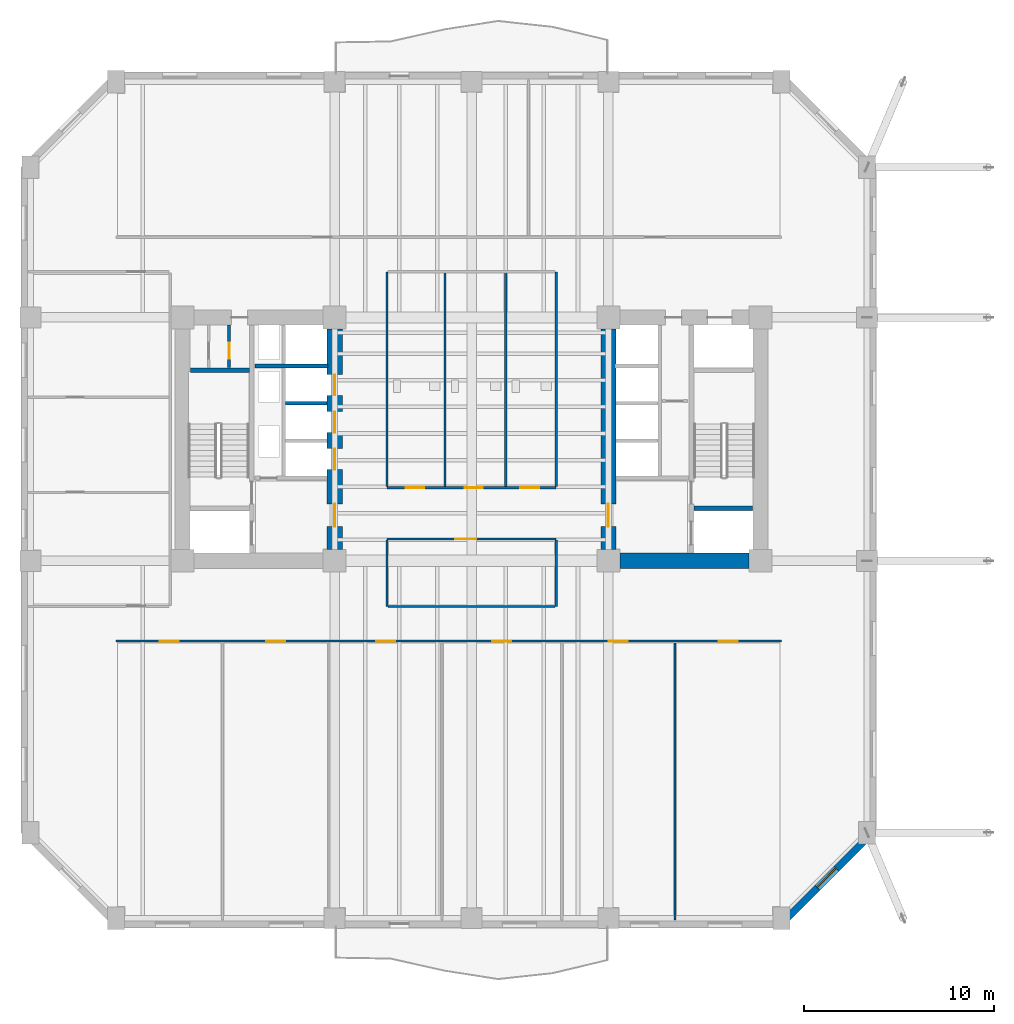
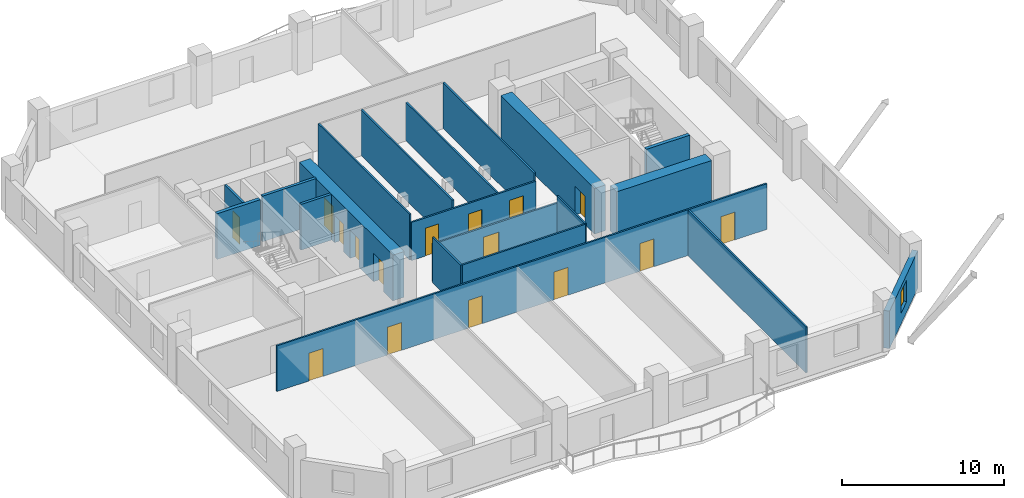
# One storey, part 6 of 13: 20 walls, 16 doors, 1 window, 17 openings.
"""IFC4 building model written with IfcOpenShell, lengths in metres."""

import ifcopenshell
import ifcopenshell.guid

model = None  # the IFC model being written
_history = None  # IfcOwnerHistory: only IFC2X3 demands one
_inside = {}  # id of a spatial element -> (the spatial element, [elements in it])
_under = {}  # id of a project, library or spatial element -> (it, [spatial elements below it])
_declared = {}  # id of a project -> (the project, [libraries it declares])
_typed = {}  # id of a type object -> (the type object, [elements of that type])
_made_of = {}  # id of a material, layer set ... -> (it, [elements and type objects made of it])


def new_model(schema):
    """Start an empty IFC model of exactly this schema.

    Asked for "IFC4X3", IfcOpenShell would pick the latest addendum, in which some entities
    have other attributes; the version numbers below select the first issue.
    IFC2X3 requires an IfcOwnerHistory on every rooted entity: one is made here for all.
    """
    global model, _history
    if schema == "IFC4X3":
        model = ifcopenshell.file(schema_version=(4, 3, 0, 0))
    else:
        model = ifcopenshell.file(schema=schema)
    _inside.clear()
    _under.clear()
    _declared.clear()
    _typed.clear()
    _made_of.clear()
    _history = None
    if model.schema == "IFC2X3":
        org = make("IfcOrganization", Name="unknown")
        user = make(
            "IfcPersonAndOrganization",
            ThePerson=make("IfcPerson", FamilyName="unknown"),
            TheOrganization=org,
        )
        app = make(
            "IfcApplication",
            ApplicationDeveloper=org,
            Version="unknown",
            ApplicationFullName="unknown",
            ApplicationIdentifier="unknown",
        )
        _history = make(
            "IfcOwnerHistory",
            OwningUser=user,
            OwningApplication=app,
            ChangeAction="ADDED",
            CreationDate=0,
        )
    return model


def make(cls, **values):
    """One entity of the class cls with the attributes given. An attribute that is None is left unset."""
    return model.create_entity(
        cls, **{name: value for name, value in values.items() if value is not None}
    )


def rooted(cls, **values):
    """An entity with a GlobalId (a new one), such as an element, a storey or a relation."""
    return make(cls, GlobalId=ifcopenshell.guid.new(), OwnerHistory=_history, **values)


def si_unit(unit_type, name, prefix=None):
    """IfcSIUnit, for example si_unit("LENGTHUNIT", "METRE", prefix="MILLI")."""
    return make("IfcSIUnit", UnitType=unit_type, Prefix=prefix, Name=name)


def assignment(units):
    """IfcUnitAssignment: the units of a project."""
    return None if units is None else make("IfcUnitAssignment", Units=units)


def point(xyz):
    """IfcCartesianPoint."""
    return None if xyz is None else make("IfcCartesianPoint", Coordinates=xyz)


def direction(xyz):
    """IfcDirection."""
    return None if xyz is None else make("IfcDirection", DirectionRatios=xyz)


def frame(location, z_axis=None, x_axis=None):
    """IfcAxis2Placement3D, a coordinate frame: its origin and axes. An axis left out is left unset."""
    return make(
        "IfcAxis2Placement3D",
        Location=point(location),
        Axis=direction(z_axis),
        RefDirection=direction(x_axis),
    )


def frame_2d(location, x_axis=None):
    """IfcAxis2Placement2D, a coordinate frame in the plane: its origin and x axis."""
    return make(
        "IfcAxis2Placement2D", Location=point(location), RefDirection=direction(x_axis)
    )


def origin():
    """The frame at (0, 0, 0) with its axes left unset."""
    return frame((0.0, 0.0, 0.0))


def place(relative_to, where):
    """IfcLocalPlacement: puts the frame where relative to a parent placement (None: the world)."""
    return make(
        "IfcLocalPlacement", PlacementRelTo=relative_to, RelativePlacement=where
    )


def context(
    kind, dimensions, precision=None, world=None, true_north=None, identifier=None
):
    """IfcGeometricRepresentationContext, for example the 3D "Model" context."""
    return make(
        "IfcGeometricRepresentationContext",
        ContextIdentifier=identifier,
        ContextType=kind,
        CoordinateSpaceDimension=dimensions,
        Precision=precision,
        WorldCoordinateSystem=world,
        TrueNorth=true_north,
    )


def subcontext(parent, identifier, kind, view, scale=None):
    """IfcGeometricRepresentationSubContext, for example "Body" below "Model"."""
    return make(
        "IfcGeometricRepresentationSubContext",
        ContextIdentifier=identifier,
        ContextType=kind,
        ParentContext=parent,
        TargetScale=scale,
        TargetView=view,
    )


def project(units=None, contexts=None):
    """IfcProject with its units and contexts."""
    return rooted(
        "IfcProject",
        Name="project",
        RepresentationContexts=contexts,
        UnitsInContext=assignment(units),
    )


def spatial(cls, under=None, at=None, **own):
    """A site, building, storey or space (cls), placed at a placement, below another one or the project."""
    s = rooted(cls, ObjectPlacement=at, **own)
    if under is not None:
        _under.setdefault(under.id(), (under, []))[1].append(s)
    return s


def profile(cls, at=None, kind="AREA", **sizes):
    """A parametric profile (cls). Its sizes go by their IFC names, for example OverallWidth=200.0."""
    return make(cls, ProfileType=kind, Position=at, **sizes)


def rectangle(**sizes):
    """IfcRectangleProfileDef."""
    return profile("IfcRectangleProfileDef", **sizes)


def extrude(swept, where, along, depth):
    """IfcExtrudedAreaSolid: the profile swept, set in the frame where, extruded along a direction by depth."""
    return make(
        "IfcExtrudedAreaSolid",
        SweptArea=swept,
        Position=where,
        ExtrudedDirection=direction(along),
        Depth=depth,
    )


def shape(context_of_items, identifier, shape_type, items):
    """IfcShapeRepresentation: the items that make up one representation, for example the "Body"."""
    return make(
        "IfcShapeRepresentation",
        ContextOfItems=context_of_items,
        RepresentationIdentifier=identifier,
        RepresentationType=shape_type,
        Items=items,
    )


def material(Name=None, Category=None):
    """IfcMaterial."""
    return make("IfcMaterial", Name=Name, Category=Category)


def layer(
    of_material, thickness, ventilated=None, Name=None, Category=None, Priority=None
):
    """IfcMaterialLayer: one layer of a wall or slab, of a material (None: an air gap)."""
    return make(
        "IfcMaterialLayer",
        Material=of_material,
        LayerThickness=thickness,
        IsVentilated=ventilated,
        Name=Name,
        Category=Category,
        Priority=Priority,
    )


def layer_set(layers, Name=None):
    """IfcMaterialLayerSet."""
    return make("IfcMaterialLayerSet", MaterialLayers=layers, LayerSetName=Name)


def made_of(thing, what):
    """Note that an element or type object is made of a material, layer set ...; save() writes the relation."""
    if what is not None:
        _made_of.setdefault(what.id(), (what, []))[1].append(thing)
    return thing


def type_object(cls, material=None, **own):
    """A type object (cls), such as IfcWallType, which elements share."""
    return made_of(rooted(cls, **own), material)


def element(
    cls,
    number,
    at=None,
    inside=None,
    cuts=None,
    type_object=None,
    material=None,
    context=None,
    identifier="Body",
    shape_type=None,
    held_by="IfcProductDefinitionShape",
    body=None,
    shapes=None,
    **own,
):
    """One element of the class cls, such as IfcWall. Its Tag is "e" and its number.

    at: its placement. inside: the storey or other place that contains it. cuts: it is an
    opening in that element (IfcRelVoidsElement). A single representation is given by context,
    identifier, shape_type and body (its items); several are given by shapes. held_by: the class
    of the entity that holds the representations. save() writes the other relations.
    """
    e = rooted(cls, Tag="e%d" % number, ObjectPlacement=at, **own)
    if body is not None:
        shapes = [shape(context, identifier, shape_type, body)]
    if shapes is not None:
        e.Representation = make(held_by, Representations=shapes)
    if inside is not None:
        _inside.setdefault(inside.id(), (inside, []))[1].append(e)
    if cuts is not None:
        rooted(
            "IfcRelVoidsElement", RelatingBuildingElement=cuts, RelatedOpeningElement=e
        )
    if type_object is not None:
        _typed.setdefault(type_object.id(), (type_object, []))[1].append(e)
    return made_of(e, material)


def fill(opening, filler):
    """IfcRelFillsElement: the door or window that sits in an opening."""
    return rooted(
        "IfcRelFillsElement",
        RelatingOpeningElement=opening,
        RelatedBuildingElement=filler,
    )


def aggregate(whole, parts):
    """IfcRelAggregates: a whole, such as a stair, and the parts it consists of."""
    return rooted("IfcRelAggregates", RelatingObject=whole, RelatedObjects=parts)


def save(model, path):
    """Write the relations noted so far, then the file.

    IfcRelAggregates (storeys below a building ...), IfcRelContainedInSpatialStructure (elements
    in a storey), IfcRelDefinesByType, IfcRelAssociatesMaterial and IfcRelDeclares: one each for
    every whole, place, type object, material and project.
    """
    for whole, parts in _under.values():
        aggregate(whole, parts)
    for where, things in _inside.values():
        rooted(
            "IfcRelContainedInSpatialStructure",
            RelatedElements=things,
            RelatingStructure=where,
        )
    for kind, things in _typed.values():
        rooted("IfcRelDefinesByType", RelatedObjects=things, RelatingType=kind)
    for what, things in _made_of.values():
        rooted("IfcRelAssociatesMaterial", RelatedObjects=things, RelatingMaterial=what)
    for by, libraries in _declared.values():
        rooted("IfcRelDeclares", RelatingContext=by, RelatedDefinitions=libraries)
    model.write(path)


model = new_model("IFC4")

# Units and contexts
model_context = context("Model", 3, precision=1e-05, world=origin(), true_north=direction((0.0, 1.0)))
body_context = subcontext(model_context, "Body", "Model", "MODEL_VIEW")
ifc_project = project(units=[si_unit("LENGTHUNIT", "METRE"), si_unit("AREAUNIT", "SQUARE_METRE"), si_unit("VOLUMEUNIT", "CUBIC_METRE"), si_unit("PLANEANGLEUNIT", "RADIAN"), si_unit("MASSUNIT", "GRAM", prefix="KILO")], contexts=[model_context])

# Site, building, storey
site_placement = place(None, origin())
site = spatial("IfcSite", under=ifc_project, at=site_placement, CompositionType="ELEMENT")
building_placement = place(site_placement, origin())
building = spatial("IfcBuilding", under=site, at=building_placement, Name="Kranthara Brick Stack", CompositionType="ELEMENT")
storey_placement = place(building_placement, frame((0.0, 0.0, 43.800048828125)))
storey = spatial("IfcBuildingStorey", under=building, at=storey_placement, Name="L10", CompositionType="ELEMENT", Elevation=43.800048828125)

# Wall, opening, window
ifc_material_1 = material(Name="Kiln-fired clay brick masonry M15", Category="masonry")
ifc_layer_1 = layer(ifc_material_1, 0.3798828125)
ifc_layer_set_1 = layer_set([ifc_layer_1], Name="Kiln-fired clay brick masonry M15")
wall_type_1 = type_object("IfcWallType", Name="WL-BRK-PIER-380", PredefinedType="STANDARD", material=ifc_layer_set_1)
wall_1_placement = place(storey_placement, frame((49.090087890625, 6.5, 0.0), z_axis=(0.0, 0.0, 1.0), x_axis=(-0.707106781187, -0.707106781187, 0.0)))
wall_1 = element("IfcWall", 1, at=wall_1_placement, inside=storey, type_object=wall_type_1, Name="L10 Exterior Brick Facade Wall SE 1", PredefinedType="STANDARD", context=body_context, shape_type="SweptSolid", body=[
    extrude(rectangle(XDim=6.774169921875, YDim=0.3798828125, at=frame_2d((3.38720703125, 0.0))), origin(), (0.0, 0.0, 1.0), 2.8349609375),
])
opening_1_placement = place(wall_1_placement, frame((2.68701171875, 0.0, 0.800048828125)))
opening_1 = element("IfcOpeningElement", 2, at=opening_1_placement, cuts=wall_1, Name="Opening WN10", PredefinedType="OPENING", context=body_context, shape_type="SweptSolid", body=[
    extrude(rectangle(XDim=1.39990234375, YDim=1.64990234375, at=frame_2d((0.699951171875, 0.824951171875))), frame((0.0, 0.199951171875, 0.0), z_axis=(0.0, -1.0, 0.0), x_axis=(1.0, 0.0, 0.0)), (0.0, 0.0, 1.0), 0.39990234375),
])
ifc_material_2 = material(Name="Double-glazed low-E solar control glass", Category="glass")
window_type = type_object("IfcWindowType", Name="WN-CHM-1400x1750", PartitioningType="SINGLE_PANEL", PredefinedType="WINDOW", material=ifc_material_2)
window_placement = place(opening_1_placement, origin())
window = element("IfcWindow", 3, at=window_placement, inside=storey, type_object=window_type, Name="L10 SE Chamfer Corner Window", OverallHeight=1.64990234375, OverallWidth=1.39990234375, PartitioningType="SINGLE_PANEL", PredefinedType="WINDOW", context=body_context, shape_type="SweptSolid", body=[
    extrude(rectangle(XDim=1.39990234375, YDim=1.64990234375, at=frame_2d((0.699951171875, 0.824951171875))), frame((0.0, -0.010009765625, 0.0), z_axis=(0.0, -1.0, 0.0), x_axis=(1.0, 0.0, 0.0)), (0.0, 0.0, 1.0), 0.06005859375),
])
fill(opening_1, window)

# Walls
ifc_material_3 = material(Name="Concrete C50/60", Category="concrete")
ifc_layer_2 = layer(ifc_material_3, 0.25)
ifc_layer_set_2 = layer_set([ifc_layer_2], Name="Concrete C50/60")
wall_type_2 = type_object("IfcWallType", Name="WL-CORE-250", PredefinedType="SHEAR", material=ifc_layer_set_2)
for number, where, z_axis, x_axis, name in (
    (4, (13.2099609375, 30.830078125, 0.0), (0.0, 0.0, 1.0), (1.0, 0.0, 0.0), "L10 West Stairwell Bearing Wall WST"),
    (5, (39.68994140625, 23.570068359375, 0.0), (0.0, 0.0, 1.0), (1.0, 0.0, 0.0), "L10 East Stairwell Bearing Wall EFF"),
):
    element("IfcWall", number, at=place(storey_placement, frame(where, z_axis=z_axis, x_axis=x_axis)), inside=storey, type_object=wall_type_2, Name=name, PredefinedType="SHEAR", context=body_context, shape_type="SweptSolid", body=[
        extrude(rectangle(XDim=3.10009765625, YDim=0.25, at=frame_2d((1.550048828125, 0.0))), origin(), (0.0, 0.0, 1.0), 3.449951171875),
    ])

# Wall, openings, doors
ifc_material_4 = material(Name="Concrete C70/85", Category="concrete")
ifc_layer_3 = layer(ifc_material_4, 0.800048828125)
ifc_layer_set_3 = layer_set([ifc_layer_3], Name="Concrete C70/85")
wall_type_3 = type_object("IfcWallType", Name="WL-CORE-800", PredefinedType="SHEAR", material=ifc_layer_set_3)
wall_2_placement = place(storey_placement, frame((20.800048828125, 21.405029296875, 0.0), z_axis=(0.0, 0.0, 1.0), x_axis=(0.0, 1.0, 0.0)))
wall_2 = element("IfcWall", 6, at=wall_2_placement, inside=storey, type_object=wall_type_3, Name="L10 West Core Shear Wall East", PredefinedType="SHEAR", context=body_context, shape_type="SweptSolid", body=[
    extrude(rectangle(XDim=11.590087890625, YDim=0.800048828125, at=frame_2d((5.794921875, 0.0))), origin(), (0.0, 0.0, 1.0), 3.449951171875),
])
opening_2_placement = place(wall_2_placement, frame((1.195068359375, 0.0, 0.0)))
opening_2 = element("IfcOpeningElement", 7, at=opening_2_placement, cuts=wall_2, Name="Opening D06", PredefinedType="OPENING", context=body_context, shape_type="SweptSolid", body=[
    extrude(rectangle(XDim=1.199951171875, YDim=2.14990234375, at=frame_2d((0.60009765625, 1.074951171875))), frame((0.0, 0.409912109375, 0.0), z_axis=(0.0, -1.0, 0.0), x_axis=(1.0, 0.0, 0.0)), (0.0, 0.0, 1.0), 0.820068359375),
])
opening_3_placement = place(wall_2_placement, frame((4.195068359375, 0.0, 0.0)))
opening_3 = element("IfcOpeningElement", 8, at=opening_3_placement, cuts=wall_2, Name="Opening LD02", PredefinedType="OPENING", context=body_context, shape_type="SweptSolid", body=[
    extrude(rectangle(XDim=1.10009765625, YDim=2.10009765625, at=frame_2d((0.550048828125, 1.050048828125))), frame((0.0, 0.409912109375, 0.0), z_axis=(0.0, -1.0, 0.0), x_axis=(1.0, 0.0, 0.0)), (0.0, 0.0, 1.0), 0.820068359375),
])
opening_4_placement = place(wall_2_placement, frame((6.14501953125, 0.0, 0.0)))
opening_4 = element("IfcOpeningElement", 9, at=opening_4_placement, cuts=wall_2, Name="Opening LD02", PredefinedType="OPENING", context=body_context, shape_type="SweptSolid", body=[
    extrude(rectangle(XDim=1.10009765625, YDim=2.10009765625, at=frame_2d((0.550048828125, 1.050048828125))), frame((0.0, 0.409912109375, 0.0), z_axis=(0.0, -1.0, 0.0), x_axis=(1.0, 0.0, 0.0)), (0.0, 0.0, 1.0), 0.820068359375),
])
opening_5_placement = place(wall_2_placement, frame((8.094970703125, 0.0, 0.0)))
opening_5 = element("IfcOpeningElement", 10, at=opening_5_placement, cuts=wall_2, Name="Opening LD02", PredefinedType="OPENING", context=body_context, shape_type="SweptSolid", body=[
    extrude(rectangle(XDim=1.10009765625, YDim=2.10009765625, at=frame_2d((0.550048828125, 1.050048828125))), frame((0.0, 0.409912109375, 0.0), z_axis=(0.0, -1.0, 0.0), x_axis=(1.0, 0.0, 0.0)), (0.0, 0.0, 1.0), 0.820068359375),
])
ifc_material_5 = material(Name="Solid-core hardwood timber leaf in steel frame", Category="steel")
door_type_1 = type_object("IfcDoorType", Name="DR-FFL-1200", OperationType="NOTDEFINED", PredefinedType="DOOR", material=ifc_material_5)
door_1_placement = place(opening_2_placement, origin())
door_1 = element("IfcDoor", 11, at=door_1_placement, inside=storey, type_object=door_type_1, Name="L10 West Firefighting Lobby Door", OperationType="SINGLE_SWING_LEFT", OverallHeight=2.14990234375, OverallWidth=1.199951171875, PredefinedType="DOOR", context=body_context, shape_type="SweptSolid", body=[
    extrude(rectangle(XDim=1.199951171875, YDim=2.14990234375, at=frame_2d((0.60009765625, 1.074951171875))), frame((0.0, 0.02490234375, 0.0), z_axis=(0.0, -1.0, 0.0), x_axis=(1.0, 0.0, 0.0)), (0.0, 0.0, 1.0), 0.050048828125),
])
fill(opening_2, door_1)
ifc_material_6 = material(Name="Stainless steel sliding landing door", Category="steel")
door_type_2 = type_object("IfcDoorType", Name="DR-LD-PL1100", OperationType="DOUBLE_DOOR_SLIDING", PredefinedType="DOOR", material=ifc_material_6)
door_2_placement = place(opening_3_placement, origin())
door_2 = element("IfcDoor", 12, at=door_2_placement, inside=storey, type_object=door_type_2, Name="L10 PL-01 Lift Landing Door", OperationType="DOUBLE_DOOR_SLIDING", OverallHeight=2.10009765625, OverallWidth=1.10009765625, PredefinedType="DOOR", context=body_context, shape_type="SweptSolid", body=[
    extrude(rectangle(XDim=1.10009765625, YDim=2.10009765625, at=frame_2d((0.550048828125, 1.050048828125))), frame((0.0, 0.02490234375, 0.0), z_axis=(0.0, -1.0, 0.0), x_axis=(1.0, 0.0, 0.0)), (0.0, 0.0, 1.0), 0.050048828125),
])
fill(opening_3, door_2)
door_3_placement = place(opening_4_placement, origin())
door_3 = element("IfcDoor", 13, at=door_3_placement, inside=storey, type_object=door_type_2, Name="L10 PL-02 Lift Landing Door", OperationType="DOUBLE_DOOR_SLIDING", OverallHeight=2.10009765625, OverallWidth=1.10009765625, PredefinedType="DOOR", context=body_context, shape_type="SweptSolid", body=[
    extrude(rectangle(XDim=1.10009765625, YDim=2.10009765625, at=frame_2d((0.550048828125, 1.050048828125))), frame((0.0, 0.02490234375, 0.0), z_axis=(0.0, -1.0, 0.0), x_axis=(1.0, 0.0, 0.0)), (0.0, 0.0, 1.0), 0.050048828125),
])
fill(opening_4, door_3)
door_4_placement = place(opening_5_placement, origin())
door_4 = element("IfcDoor", 14, at=door_4_placement, inside=storey, type_object=door_type_2, Name="L10 PL-03 Lift Landing Door", OperationType="DOUBLE_DOOR_SLIDING", OverallHeight=2.10009765625, OverallWidth=1.10009765625, PredefinedType="DOOR", context=body_context, shape_type="SweptSolid", body=[
    extrude(rectangle(XDim=1.10009765625, YDim=2.10009765625, at=frame_2d((0.550048828125, 1.050048828125))), frame((0.0, 0.02490234375, 0.0), z_axis=(0.0, -1.0, 0.0), x_axis=(1.0, 0.0, 0.0)), (0.0, 0.0, 1.0), 0.050048828125),
])
fill(opening_5, door_4)

# Wall
wall_3_placement = place(storey_placement, frame((35.804931640625, 20.800048828125, 0.0), z_axis=(0.0, 0.0, 1.0), x_axis=(1.0, 0.0, 0.0)))
element("IfcWall", 15, at=wall_3_placement, inside=storey, type_object=wall_type_3, Name="L10 East Core Shear Wall South", PredefinedType="SHEAR", context=body_context, shape_type="SweptSolid", body=[
    extrude(rectangle(XDim=6.7900390625, YDim=0.800048828125, at=frame_2d((3.39501953125, 0.0))), origin(), (0.0, 0.0, 1.0), 3.449951171875),
])

# Wall, opening, door
wall_4_placement = place(storey_placement, frame((35.199951171875, 21.405029296875, 0.0), z_axis=(0.0, 0.0, 1.0), x_axis=(0.0, 1.0, 0.0)))
wall_4 = element("IfcWall", 16, at=wall_4_placement, inside=storey, type_object=wall_type_3, Name="L10 East Core Shear Wall West", PredefinedType="SHEAR", context=body_context, shape_type="SweptSolid", body=[
    extrude(rectangle(XDim=11.590087890625, YDim=0.800048828125, at=frame_2d((5.794921875, 0.0))), origin(), (0.0, 0.0, 1.0), 3.449951171875),
])
opening_6_placement = place(wall_4_placement, frame((1.195068359375, 0.0, 0.0)))
opening_6 = element("IfcOpeningElement", 17, at=opening_6_placement, cuts=wall_4, Name="Opening D06", PredefinedType="OPENING", context=body_context, shape_type="SweptSolid", body=[
    extrude(rectangle(XDim=1.199951171875, YDim=2.14990234375, at=frame_2d((0.60009765625, 1.074951171875))), frame((0.0, 0.409912109375, 0.0), z_axis=(0.0, -1.0, 0.0), x_axis=(1.0, 0.0, 0.0)), (0.0, 0.0, 1.0), 0.820068359375),
])
door_5_placement = place(opening_6_placement, origin())
door_5 = element("IfcDoor", 18, at=door_5_placement, inside=storey, type_object=door_type_1, Name="L10 East Firefighting Lobby Door", OperationType="SINGLE_SWING_RIGHT", OverallHeight=2.14990234375, OverallWidth=1.199951171875, PredefinedType="DOOR", context=body_context, shape_type="SweptSolid", body=[
    extrude(rectangle(XDim=1.199951171875, YDim=2.14990234375, at=frame_2d((0.60009765625, 1.074951171875))), frame((0.0, 0.02490234375, 0.0), z_axis=(0.0, -1.0, 0.0), x_axis=(1.0, 0.0, 0.0)), (0.0, 0.0, 1.0), 0.050048828125),
])
fill(opening_6, door_5)

# Wall, openings, doors
ifc_material_7 = material(Name="Acoustic gypsum plasterboard partition", Category="other")
ifc_layer_4 = layer(ifc_material_7, 0.1201171875)
ifc_layer_set_4 = layer_set([ifc_layer_4], Name="Acoustic gypsum plasterboard partition")
wall_type_4 = type_object("IfcWallType", Name="WL-PART-120", PredefinedType="PARTITIONING", material=ifc_layer_set_4)
wall_5_placement = place(storey_placement, frame((23.550048828125, 24.64990234375, 0.0), z_axis=(0.0, 0.0, 1.0), x_axis=(1.0, 0.0, 0.0)))
wall_5 = element("IfcWall", 19, at=wall_5_placement, inside=storey, type_object=wall_type_4, Name="L10 Interior Partition 004", PredefinedType="PARTITIONING", context=body_context, shape_type="SweptSolid", body=[
    extrude(rectangle(XDim=8.89990234375, YDim=0.1201171875, at=frame_2d((4.449951171875, 0.0))), origin(), (0.0, 0.0, 1.0), 2.885009765625),
])
opening_7_placement = place(wall_5_placement, frame((1.0, 0.0, 0.0)))
opening_7 = element("IfcOpeningElement", 20, at=opening_7_placement, cuts=wall_5, Name="Opening D14", PredefinedType="OPENING", context=body_context, shape_type="SweptSolid", body=[
    extrude(rectangle(XDim=0.949951171875, YDim=2.10009765625, at=frame_2d((0.47509765625, 1.050048828125))), frame((0.0, 0.070068359375, 0.0), z_axis=(0.0, -1.0, 0.0), x_axis=(1.0, 0.0, 0.0)), (0.0, 0.0, 1.0), 0.14013671875),
])
opening_8_placement = place(wall_5_placement, frame((4.10009765625, 0.0, 0.0)))
opening_8 = element("IfcOpeningElement", 21, at=opening_8_placement, cuts=wall_5, Name="Opening D14", PredefinedType="OPENING", context=body_context, shape_type="SweptSolid", body=[
    extrude(rectangle(XDim=0.949951171875, YDim=2.10009765625, at=frame_2d((0.47509765625, 1.050048828125))), frame((0.0, 0.070068359375, 0.0), z_axis=(0.0, -1.0, 0.0), x_axis=(1.0, 0.0, 0.0)), (0.0, 0.0, 1.0), 0.14013671875),
])
opening_9_placement = place(wall_5_placement, frame((7.0, 0.0, 0.0)))
opening_9 = element("IfcOpeningElement", 22, at=opening_9_placement, cuts=wall_5, Name="Opening D18", PredefinedType="OPENING", context=body_context, shape_type="SweptSolid", body=[
    extrude(rectangle(XDim=1.0, YDim=2.10009765625, at=frame_2d((0.5, 1.050048828125))), frame((0.0, 0.070068359375, 0.0), z_axis=(0.0, -1.0, 0.0), x_axis=(1.0, 0.0, 0.0)), (0.0, 0.0, 1.0), 0.14013671875),
])
ifc_material_8 = material(Name="Solid-core hardwood timber leaf in steel frame", Category="steel")
door_type_3 = type_object("IfcDoorType", Name="DR-ACC-1000", OperationType="NOTDEFINED", PredefinedType="DOOR", material=ifc_material_8)
door_6_placement = place(opening_9_placement, origin())
door_6 = element("IfcDoor", 23, at=door_6_placement, inside=storey, type_object=door_type_3, Name="L10 Accessible WC Door 06", OperationType="SINGLE_SWING_RIGHT", OverallHeight=2.10009765625, OverallWidth=1.0, PredefinedType="DOOR", context=body_context, shape_type="SweptSolid", body=[
    extrude(rectangle(XDim=1.0, YDim=2.10009765625, at=frame_2d((0.5, 1.050048828125))), frame((0.0, 0.02490234375, 0.0), z_axis=(0.0, -1.0, 0.0), x_axis=(1.0, 0.0, 0.0)), (0.0, 0.0, 1.0), 0.050048828125),
])
fill(opening_9, door_6)
ifc_material_9 = material(Name="Solid-core hardwood timber leaf in steel frame", Category="steel")
door_type_4 = type_object("IfcDoorType", Name="DR-INT-950", OperationType="NOTDEFINED", PredefinedType="DOOR", material=ifc_material_9)
door_7_placement = place(opening_7_placement, origin())
door_7 = element("IfcDoor", 24, at=door_7_placement, inside=storey, type_object=door_type_4, Name="L10 Male WC Door 04", OperationType="SINGLE_SWING_RIGHT", OverallHeight=2.10009765625, OverallWidth=0.949951171875, PredefinedType="DOOR", context=body_context, shape_type="SweptSolid", body=[
    extrude(rectangle(XDim=0.949951171875, YDim=2.10009765625, at=frame_2d((0.47509765625, 1.050048828125))), frame((0.0, 0.02490234375, 0.0), z_axis=(0.0, -1.0, 0.0), x_axis=(1.0, 0.0, 0.0)), (0.0, 0.0, 1.0), 0.050048828125),
])
fill(opening_7, door_7)
door_8_placement = place(opening_8_placement, origin())
door_8 = element("IfcDoor", 25, at=door_8_placement, inside=storey, type_object=door_type_4, Name="L10 Female WC Door 05", OperationType="SINGLE_SWING_LEFT", OverallHeight=2.10009765625, OverallWidth=0.949951171875, PredefinedType="DOOR", context=body_context, shape_type="SweptSolid", body=[
    extrude(rectangle(XDim=0.949951171875, YDim=2.10009765625, at=frame_2d((0.47509765625, 1.050048828125))), frame((0.0, 0.02490234375, 0.0), z_axis=(0.0, -1.0, 0.0), x_axis=(1.0, 0.0, 0.0)), (0.0, 0.0, 1.0), 0.050048828125),
])
fill(opening_8, door_8)

# Walls
for number, where, z_axis, x_axis, name in (
    (26, (23.550048828125, 24.715087890625, 0.0), (0.0, 0.0, 1.0), (0.0, 1.0, 0.0), "L10 Interior Partition 005"),
    (27, (32.449951171875, 24.715087890625, 0.0), (0.0, 0.0, 1.0), (0.0, 1.0, 0.0), "L10 Interior Partition 006"),
    (28, (26.60009765625, 24.715087890625, 0.0), (0.0, 0.0, 1.0), (0.0, 1.0, 0.0), "L10 Interior Partition 007"),
):
    element("IfcWall", number, at=place(storey_placement, frame(where, z_axis=z_axis, x_axis=x_axis)), inside=storey, type_object=wall_type_4, Name=name, PredefinedType="PARTITIONING", context=body_context, shape_type="SweptSolid", body=[
        extrude(rectangle(XDim=11.284912109375, YDim=0.1201171875, at=frame_2d((5.642578125, 0.0))), origin(), (0.0, 0.0, 1.0), 3.449951171875),
    ])
wall_6_placement = place(storey_placement, frame((29.800048828125, 24.715087890625, 0.0), z_axis=(0.0, 0.0, 1.0), x_axis=(0.0, 1.0, 0.0)))
element("IfcWall", 29, at=wall_6_placement, inside=storey, type_object=wall_type_4, Name="L10 Interior Partition 008", PredefinedType="PARTITIONING", context=body_context, shape_type="SweptSolid", body=[
    extrude(rectangle(XDim=11.284912109375, YDim=0.1201171875, at=frame_2d((5.642578125, 0.0))), origin(), (0.0, 0.0, 1.0), 2.885009765625),
])

# Wall, opening, door
wall_7_placement = place(storey_placement, frame((23.550048828125, 21.949951171875, 0.0), z_axis=(0.0, 0.0, 1.0), x_axis=(1.0, 0.0, 0.0)))
wall_7 = element("IfcWall", 30, at=wall_7_placement, inside=storey, type_object=wall_type_4, Name="L10 Interior Partition 010", PredefinedType="PARTITIONING", context=body_context, shape_type="SweptSolid", body=[
    extrude(rectangle(XDim=8.89990234375, YDim=0.1201171875, at=frame_2d((4.449951171875, 0.0))), origin(), (0.0, 0.0, 1.0), 2.885009765625),
])
opening_10_placement = place(wall_7_placement, frame((3.60009765625, 0.0, 0.0)))
opening_10 = element("IfcOpeningElement", 31, at=opening_10_placement, cuts=wall_7, Name="Opening D11", PredefinedType="OPENING", context=body_context, shape_type="SweptSolid", body=[
    extrude(rectangle(XDim=1.10009765625, YDim=2.14990234375, at=frame_2d((0.550048828125, 1.074951171875))), frame((0.0, 0.070068359375, 0.0), z_axis=(0.0, -1.0, 0.0), x_axis=(1.0, 0.0, 0.0)), (0.0, 0.0, 1.0), 0.14013671875),
])
ifc_material_10 = material(Name="Solid-core hardwood timber leaf in steel frame", Category="steel")
door_type_5 = type_object("IfcDoorType", Name="DR-INT-1100", OperationType="NOTDEFINED", PredefinedType="DOOR", material=ifc_material_10)
door_9_placement = place(opening_10_placement, origin())
door_9 = element("IfcDoor", 32, at=door_9_placement, inside=storey, type_object=door_type_5, Name="L10 Internal Briefing Room 07", OperationType="SINGLE_SWING_LEFT", OverallHeight=2.14990234375, OverallWidth=1.10009765625, PredefinedType="DOOR", context=body_context, shape_type="SweptSolid", body=[
    extrude(rectangle(XDim=1.10009765625, YDim=2.14990234375, at=frame_2d((0.550048828125, 1.074951171875))), frame((0.0, 0.02490234375, 0.0), z_axis=(0.0, -1.0, 0.0), x_axis=(1.0, 0.0, 0.0)), (0.0, 0.0, 1.0), 0.050048828125),
])
fill(opening_10, door_9)

# Walls
for number, where, z_axis, x_axis, name in (
    (33, (23.550048828125, 18.39990234375, 0.0), (0.0, 0.0, 1.0), (0.0, 1.0, 0.0), "L10 Interior Partition 011"),
    (34, (32.449951171875, 18.39990234375, 0.0), (0.0, 0.0, 1.0), (0.0, 1.0, 0.0), "L10 Interior Partition 012"),
):
    element("IfcWall", number, at=place(storey_placement, frame(where, z_axis=z_axis, x_axis=x_axis)), inside=storey, type_object=wall_type_4, Name=name, PredefinedType="PARTITIONING", context=body_context, shape_type="SweptSolid", body=[
        extrude(rectangle(XDim=3.485107421875, YDim=0.1201171875, at=frame_2d((1.74267578125, 0.0))), origin(), (0.0, 0.0, 1.0), 3.449951171875),
    ])
wall_8_placement = place(storey_placement, frame((23.614990234375, 18.39990234375, 0.0), z_axis=(0.0, 0.0, 1.0), x_axis=(1.0, 0.0, 0.0)))
element("IfcWall", 35, at=wall_8_placement, inside=storey, type_object=wall_type_4, Name="L10 Interior Partition 013", PredefinedType="PARTITIONING", context=body_context, shape_type="SweptSolid", body=[
    extrude(rectangle(XDim=8.77001953125, YDim=0.1201171875, at=frame_2d((4.385009765625, 0.0))), origin(), (0.0, 0.0, 1.0), 3.449951171875),
])

# Wall, openings, doors
wall_9_placement = place(storey_placement, frame((9.300048828125, 16.580078125, 0.0), z_axis=(0.0, 0.0, 1.0), x_axis=(1.0, 0.0, 0.0)))
wall_9 = element("IfcWall", 36, at=wall_9_placement, inside=storey, type_object=wall_type_4, Name="L10 Interior Partition 014", PredefinedType="PARTITIONING", context=body_context, shape_type="SweptSolid", body=[
    extrude(rectangle(XDim=35.0, YDim=0.1201171875, at=frame_2d((17.5, 0.0))), origin(), (0.0, 0.0, 1.0), 3.449951171875),
])
opening_11_placement = place(wall_9_placement, frame((2.300048828125, 0.0, 0.0)))
opening_11 = element("IfcOpeningElement", 37, at=opening_11_placement, cuts=wall_9, Name="Opening D13", PredefinedType="OPENING", context=body_context, shape_type="SweptSolid", body=[
    extrude(rectangle(XDim=1.0, YDim=2.10009765625, at=frame_2d((0.5, 1.050048828125))), frame((0.0, 0.070068359375, 0.0), z_axis=(0.0, -1.0, 0.0), x_axis=(1.0, 0.0, 0.0)), (0.0, 0.0, 1.0), 0.14013671875),
])
opening_12_placement = place(wall_9_placement, frame((7.89990234375, 0.0, 0.0)))
opening_12 = element("IfcOpeningElement", 38, at=opening_12_placement, cuts=wall_9, Name="Opening D13", PredefinedType="OPENING", context=body_context, shape_type="SweptSolid", body=[
    extrude(rectangle(XDim=1.0, YDim=2.10009765625, at=frame_2d((0.5, 1.050048828125))), frame((0.0, 0.070068359375, 0.0), z_axis=(0.0, -1.0, 0.0), x_axis=(1.0, 0.0, 0.0)), (0.0, 0.0, 1.0), 0.14013671875),
])
opening_13_placement = place(wall_9_placement, frame((13.675048828125, 0.0, 0.0)))
opening_13 = element("IfcOpeningElement", 39, at=opening_13_placement, cuts=wall_9, Name="Opening D13", PredefinedType="OPENING", context=body_context, shape_type="SweptSolid", body=[
    extrude(rectangle(XDim=1.0, YDim=2.10009765625, at=frame_2d((0.5, 1.050048828125))), frame((0.0, 0.070068359375, 0.0), z_axis=(0.0, -1.0, 0.0), x_axis=(1.0, 0.0, 0.0)), (0.0, 0.0, 1.0), 0.14013671875),
])
opening_14_placement = place(wall_9_placement, frame((19.800048828125, 0.0, 0.0)))
opening_14 = element("IfcOpeningElement", 40, at=opening_14_placement, cuts=wall_9, Name="Opening D13", PredefinedType="OPENING", context=body_context, shape_type="SweptSolid", body=[
    extrude(rectangle(XDim=1.0, YDim=2.10009765625, at=frame_2d((0.5, 1.050048828125))), frame((0.0, 0.070068359375, 0.0), z_axis=(0.0, -1.0, 0.0), x_axis=(1.0, 0.0, 0.0)), (0.0, 0.0, 1.0), 0.14013671875),
])
opening_15_placement = place(wall_9_placement, frame((25.925048828125, 0.0, 0.0)))
opening_15 = element("IfcOpeningElement", 41, at=opening_15_placement, cuts=wall_9, Name="Opening D13", PredefinedType="OPENING", context=body_context, shape_type="SweptSolid", body=[
    extrude(rectangle(XDim=1.0, YDim=2.10009765625, at=frame_2d((0.5, 1.050048828125))), frame((0.0, 0.070068359375, 0.0), z_axis=(0.0, -1.0, 0.0), x_axis=(1.0, 0.0, 0.0)), (0.0, 0.0, 1.0), 0.14013671875),
])
opening_16_placement = place(wall_9_placement, frame((31.699951171875, 0.0, 0.0)))
opening_16 = element("IfcOpeningElement", 42, at=opening_16_placement, cuts=wall_9, Name="Opening D13", PredefinedType="OPENING", context=body_context, shape_type="SweptSolid", body=[
    extrude(rectangle(XDim=1.0, YDim=2.10009765625, at=frame_2d((0.5, 1.050048828125))), frame((0.0, 0.070068359375, 0.0), z_axis=(0.0, -1.0, 0.0), x_axis=(1.0, 0.0, 0.0)), (0.0, 0.0, 1.0), 0.14013671875),
])
ifc_material_11 = material(Name="Solid-core hardwood timber leaf in steel frame", Category="steel")
door_type_6 = type_object("IfcDoorType", Name="DR-INT-1000", OperationType="NOTDEFINED", PredefinedType="DOOR", material=ifc_material_11)
door_10_placement = place(opening_11_placement, origin())
door_10 = element("IfcDoor", 43, at=door_10_placement, inside=storey, type_object=door_type_6, Name="L10 Executive Cellular Office 08", OperationType="SINGLE_SWING_RIGHT", OverallHeight=2.10009765625, OverallWidth=1.0, PredefinedType="DOOR", context=body_context, shape_type="SweptSolid", body=[
    extrude(rectangle(XDim=1.0, YDim=2.10009765625, at=frame_2d((0.5, 1.050048828125))), frame((0.0, 0.02490234375, 0.0), z_axis=(0.0, -1.0, 0.0), x_axis=(1.0, 0.0, 0.0)), (0.0, 0.0, 1.0), 0.050048828125),
])
fill(opening_11, door_10)
door_11_placement = place(opening_12_placement, origin())
door_11 = element("IfcDoor", 44, at=door_11_placement, inside=storey, type_object=door_type_6, Name="L10 Executive Cellular Office 09", OperationType="SINGLE_SWING_LEFT", OverallHeight=2.10009765625, OverallWidth=1.0, PredefinedType="DOOR", context=body_context, shape_type="SweptSolid", body=[
    extrude(rectangle(XDim=1.0, YDim=2.10009765625, at=frame_2d((0.5, 1.050048828125))), frame((0.0, 0.02490234375, 0.0), z_axis=(0.0, -1.0, 0.0), x_axis=(1.0, 0.0, 0.0)), (0.0, 0.0, 1.0), 0.050048828125),
])
fill(opening_12, door_11)
door_12_placement = place(opening_13_placement, origin())
door_12 = element("IfcDoor", 45, at=door_12_placement, inside=storey, type_object=door_type_6, Name="L10 Meeting Room 10", OperationType="SINGLE_SWING_RIGHT", OverallHeight=2.10009765625, OverallWidth=1.0, PredefinedType="DOOR", context=body_context, shape_type="SweptSolid", body=[
    extrude(rectangle(XDim=1.0, YDim=2.10009765625, at=frame_2d((0.5, 1.050048828125))), frame((0.0, 0.02490234375, 0.0), z_axis=(0.0, -1.0, 0.0), x_axis=(1.0, 0.0, 0.0)), (0.0, 0.0, 1.0), 0.050048828125),
])
fill(opening_13, door_12)
door_13_placement = place(opening_14_placement, origin())
door_13 = element("IfcDoor", 46, at=door_13_placement, inside=storey, type_object=door_type_6, Name="L10 Meeting Room 11", OperationType="SINGLE_SWING_LEFT", OverallHeight=2.10009765625, OverallWidth=1.0, PredefinedType="DOOR", context=body_context, shape_type="SweptSolid", body=[
    extrude(rectangle(XDim=1.0, YDim=2.10009765625, at=frame_2d((0.5, 1.050048828125))), frame((0.0, 0.02490234375, 0.0), z_axis=(0.0, -1.0, 0.0), x_axis=(1.0, 0.0, 0.0)), (0.0, 0.0, 1.0), 0.050048828125),
])
fill(opening_14, door_13)
door_14_placement = place(opening_15_placement, origin())
door_14 = element("IfcDoor", 47, at=door_14_placement, inside=storey, type_object=door_type_6, Name="L10 Meeting Room 12", OperationType="SINGLE_SWING_RIGHT", OverallHeight=2.10009765625, OverallWidth=1.0, PredefinedType="DOOR", context=body_context, shape_type="SweptSolid", body=[
    extrude(rectangle(XDim=1.0, YDim=2.10009765625, at=frame_2d((0.5, 1.050048828125))), frame((0.0, 0.02490234375, 0.0), z_axis=(0.0, -1.0, 0.0), x_axis=(1.0, 0.0, 0.0)), (0.0, 0.0, 1.0), 0.050048828125),
])
fill(opening_15, door_14)
door_15_placement = place(opening_16_placement, origin())
door_15 = element("IfcDoor", 48, at=door_15_placement, inside=storey, type_object=door_type_6, Name="L10 Boardroom 13", OperationType="SINGLE_SWING_LEFT", OverallHeight=2.10009765625, OverallWidth=1.0, PredefinedType="DOOR", context=body_context, shape_type="SweptSolid", body=[
    extrude(rectangle(XDim=1.0, YDim=2.10009765625, at=frame_2d((0.5, 1.050048828125))), frame((0.0, 0.02490234375, 0.0), z_axis=(0.0, -1.0, 0.0), x_axis=(1.0, 0.0, 0.0)), (0.0, 0.0, 1.0), 0.050048828125),
])
fill(opening_16, door_15)

# Wall
wall_10_placement = place(storey_placement, frame((38.699951171875, 1.905029296875, 0.0), z_axis=(0.0, 0.0, 1.0), x_axis=(0.0, 1.0, 0.0)))
element("IfcWall", 49, at=wall_10_placement, inside=storey, type_object=wall_type_4, Name="L10 Interior Partition 019", PredefinedType="PARTITIONING", context=body_context, shape_type="SweptSolid", body=[
    extrude(rectangle(XDim=14.574951171875, YDim=0.1201171875, at=frame_2d((7.28759765625, 0.0))), origin(), (0.0, 0.0, 1.0), 3.449951171875),
])

# Wall, opening, door
ifc_material_12 = material(Name="Fire-rated gypsum board partition", Category="other")
ifc_layer_5 = layer(ifc_material_12, 0.14990234375)
ifc_layer_set_5 = layer_set([ifc_layer_5], Name="Fire-rated gypsum board partition")
wall_type_5 = type_object("IfcWallType", Name="WL-PART-150", PredefinedType="PARTITIONING", material=ifc_layer_set_5)
wall_11_placement = place(storey_placement, frame((15.25, 30.9599609375, 0.0), z_axis=(0.0, 0.0, 1.0), x_axis=(0.0, 1.0, 0.0)))
wall_11 = element("IfcWall", 50, at=wall_11_placement, inside=storey, type_object=wall_type_5, Name="L10 Interior Partition 002", PredefinedType="PARTITIONING", context=body_context, shape_type="SweptSolid", body=[
    extrude(rectangle(XDim=2.235107421875, YDim=0.14990234375, at=frame_2d((1.11767578125, 0.0))), origin(), (0.0, 0.0, 1.0), 3.449951171875),
])
opening_17_placement = place(wall_11_placement, frame((0.469970703125, 0.0, 0.0)))
opening_17 = element("IfcOpeningElement", 51, at=opening_17_placement, cuts=wall_11, Name="Opening D10", PredefinedType="OPENING", context=body_context, shape_type="SweptSolid", body=[
    extrude(rectangle(XDim=0.85009765625, YDim=2.02001953125, at=frame_2d((0.425048828125, 1.010009765625))), frame((0.0, 0.0849609375, 0.0), z_axis=(0.0, -1.0, 0.0), x_axis=(1.0, 0.0, 0.0)), (0.0, 0.0, 1.0), 0.169921875),
])
ifc_material_13 = material(Name="Solid-core hardwood timber leaf in steel frame", Category="steel")
door_type_7 = type_object("IfcDoorType", Name="DR-RSR-850", OperationType="NOTDEFINED", PredefinedType="DOOR", material=ifc_material_13)
door_16_placement = place(opening_17_placement, origin())
door_16 = element("IfcDoor", 52, at=door_16_placement, inside=storey, type_object=door_type_7, Name="L10 Riser Door B 02", OperationType="SINGLE_SWING_RIGHT", OverallHeight=2.02001953125, OverallWidth=0.85009765625, PredefinedType="DOOR", context=body_context, shape_type="SweptSolid", body=[
    extrude(rectangle(XDim=0.85009765625, YDim=2.02001953125, at=frame_2d((0.425048828125, 1.010009765625))), frame((0.0, 0.02490234375, 0.0), z_axis=(0.0, -1.0, 0.0), x_axis=(1.0, 0.0, 0.0)), (0.0, 0.0, 1.0), 0.050048828125),
])
fill(opening_17, door_16)

# Walls
ifc_material_14 = material(Name="Gypsum plasterboard on acoustic twin stud", Category="other")
ifc_layer_6 = layer(ifc_material_14, 0.179931640625)
ifc_layer_set_6 = layer_set([ifc_layer_6], Name="Gypsum plasterboard on acoustic twin stud")
wall_type_6 = type_object("IfcWallType", Name="WL-PART-180", PredefinedType="PARTITIONING", material=ifc_layer_set_6)
wall_12_placement = place(storey_placement, frame((18.219970703125, 29.080078125, 0.0), z_axis=(0.0, 0.0, 1.0), x_axis=(1.0, 0.0, 0.0)))
element("IfcWall", 53, at=wall_12_placement, inside=storey, type_object=wall_type_6, Name="L10 West Hoistway Wall WH2", PredefinedType="PARTITIONING", context=body_context, shape_type="SweptSolid", body=[
    extrude(rectangle(XDim=2.169921875, YDim=0.179931640625, at=frame_2d((1.0849609375, 0.0))), origin(), (0.0, 0.0, 1.0), 3.449951171875),
])
ifc_material_15 = material(Name="Concrete C40/50", Category="concrete")
ifc_layer_7 = layer(ifc_material_15, 0.199951171875)
ifc_layer_set_7 = layer_set([ifc_layer_7], Name="Concrete C40/50")
wall_type_7 = type_object("IfcWallType", Name="WL-PART-200", PredefinedType="SOLIDWALL", material=ifc_layer_set_7)
wall_13_placement = place(storey_placement, frame((16.60009765625, 31.050048828125, 0.0), z_axis=(0.0, 0.0, 1.0), x_axis=(1.0, 0.0, 0.0)))
element("IfcWall", 54, at=wall_13_placement, inside=storey, type_object=wall_type_7, Name="L10 West Core Cross Wall WH4", PredefinedType="SOLIDWALL", context=body_context, shape_type="SweptSolid", body=[
    extrude(rectangle(XDim=3.849853515625, YDim=0.199951171875, at=frame_2d((1.9248046875, 0.0))), origin(), (0.0, 0.0, 1.0), 3.449951171875),
])

save(model, "model.ifc")
